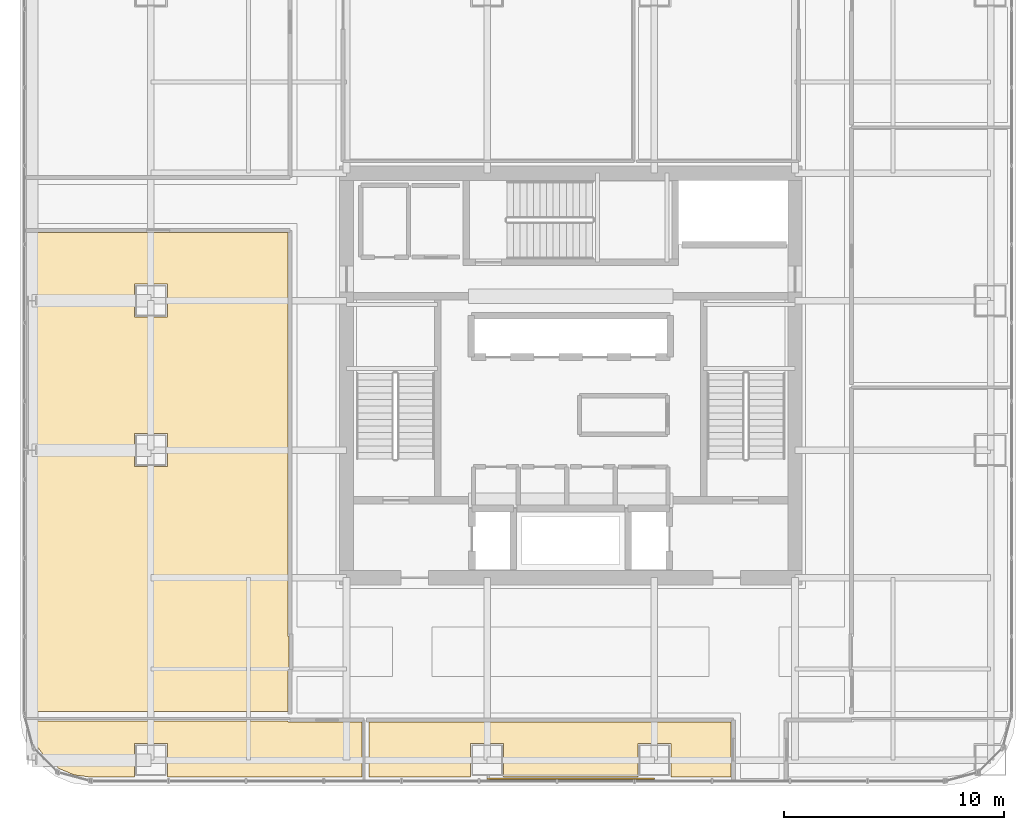
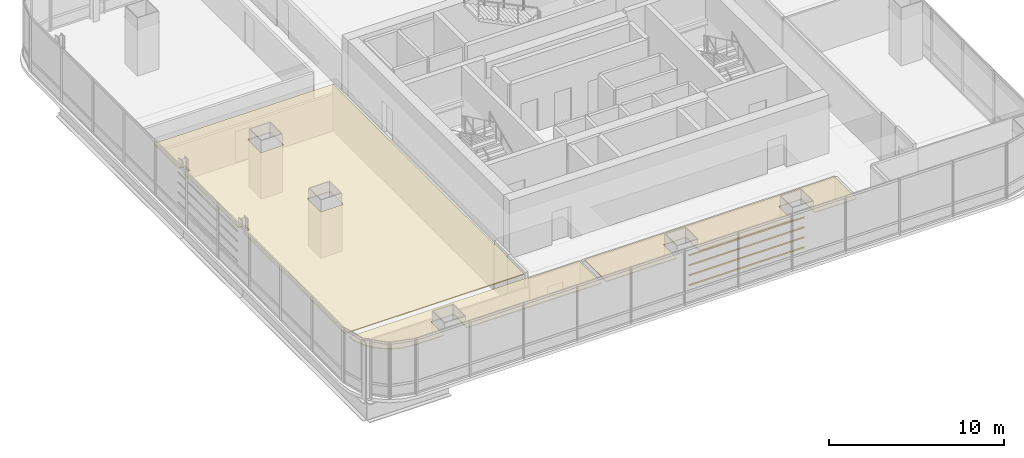
# One storey, part 34 of 38: 4 shading devices, 3 coverings.
"""IFC4 building model written with IfcOpenShell, lengths in metres."""

from ifc_helpers import new_model, si_unit, direction, frame, origin, origin_2d, place, context, subcontext, project, spatial, polyline, hollow_rectangle, outline, extrude, material, layer, layer_set, material_profile, profile_set, type_object, element, save


model = new_model("IFC4")

# Units and contexts
model_context = context("Model", 3, precision=1e-05, world=origin(), true_north=direction((0.0, 1.0)))
body_context = subcontext(model_context, "Body", "Model", "MODEL_VIEW")
ifc_project = project(units=[si_unit("LENGTHUNIT", "METRE"), si_unit("AREAUNIT", "SQUARE_METRE"), si_unit("VOLUMEUNIT", "CUBIC_METRE"), si_unit("PLANEANGLEUNIT", "RADIAN"), si_unit("MASSUNIT", "GRAM", prefix="KILO")], contexts=[model_context])

# Site, building, storey
site_placement = place(None, origin())
site = spatial("IfcSite", under=ifc_project, at=site_placement, CompositionType="ELEMENT")
building_placement = place(site_placement, origin())
building = spatial("IfcBuilding", under=site, at=building_placement, Name="Punatoya Terracotta Tower", CompositionType="ELEMENT")
storey_placement = place(building_placement, frame((0.0, 0.0, 160.050048828125)))
storey = spatial("IfcBuildingStorey", under=building, at=storey_placement, Name="L37", CompositionType="ELEMENT", Elevation=160.050048828125)

# Coverings
ifc_material_1 = material(Name="Acoustic Mineral Fibre Ceiling")
ifc_layer = layer(ifc_material_1, 0.06005859375)
ifc_layer_set = layer_set([ifc_layer], Name="Acoustic Mineral Fibre Ceiling")
covering_type = type_object("IfcCoveringType", Name="COV-CEIL-60", PredefinedType="CEILING", material=ifc_layer_set)
covering_1_placement = place(storey_placement, frame((0.0, 0.0, 3.219970703125)))
element("IfcCovering", 1, at=covering_1_placement, inside=storey, type_object=covering_type, Name="L37 Open-Plan Plenary Seminar Room Acoustic Ceiling", PredefinedType="CEILING", context=body_context, shape_type="SweptSolid", body=[
    extrude(outline(polyline([(-22.5791015625, -18.1708984375), (-21.8251953125, -18.27001953125), (-19.85009765625, -18.27001953125), (-19.85009765625, -16.75), (-18.35009765625, -16.75), (-18.35009765625, -18.27001953125), (-9.5048828125, -18.27001953125), (-9.5048828125, -15.77001953125), (-12.8701171875, -15.77001953125), (-12.8701171875, -15.7099609375), (-24.632568359375, -15.7099609375), (-24.57080078125, -16.178955078125), (-24.289306640625, -16.8583984375), (-23.841796875, -17.441650390625), (-23.25830078125, -17.889404296875), (-22.5791015625, -18.1708984375)])), origin(), (0.0, 0.0, 1.0), 0.06005859375),
])
covering_2_placement = place(storey_placement, frame((0.0, 0.0, 3.219970703125)))
element("IfcCovering", 2, at=covering_2_placement, inside=storey, type_object=covering_type, Name="L37 Open-Plan Client Strategy Boardroom Acoustic Ceiling", PredefinedType="CEILING", context=body_context, shape_type="SweptSolid", body=[
    extrude(outline(polyline([(-4.550048828125, -18.27001953125), (-4.550048828125, -16.75), (-3.050048828125, -16.75), (-3.050048828125, -18.27001953125), (3.050048828125, -18.27001953125), (3.050048828125, -16.75), (4.550048828125, -16.75), (4.550048828125, -18.27001953125), (7.300048828125, -18.27001953125), (7.300048828125, -15.77001953125), (-9.18505859375, -15.77001953125), (-9.18505859375, -18.27001953125), (-4.550048828125, -18.27001953125)])), origin(), (0.0, 0.0, 1.0), 0.06005859375),
])
covering_3_placement = place(storey_placement, frame((0.0, 0.0, 3.219970703125)))
element("IfcCovering", 3, at=covering_3_placement, inside=storey, type_object=covering_type, Name="L37 Breakout Tea Pantry Acoustic Ceiling", PredefinedType="CEILING", context=body_context, shape_type="SweptSolid", body=[
    extrude(outline(polyline([(-12.8701171875, -13.280029296875), (-12.81005859375, -13.280029296875), (-12.81005859375, -11.8701171875), (-12.8701171875, -11.8701171875), (-12.8701171875, 6.5), (-24.669921875, 6.5), (-24.669921875, 3.66259765625), (-24.24560546875, 3.66259765625), (-24.24560546875, 3.137451171875), (-24.669921875, 3.137451171875), (-24.669921875, -3.137451171875), (-24.24560546875, -3.137451171875), (-24.24560546875, -3.66259765625), (-24.669921875, -3.66259765625), (-24.669921875, -15.2900390625), (-12.8701171875, -15.2900390625), (-12.8701171875, -13.280029296875)]), holes=[polyline([(-18.35009765625, -4.14990234375), (-19.85009765625, -4.14990234375), (-19.85009765625, -2.64990234375), (-18.35009765625, -2.64990234375), (-18.35009765625, -4.14990234375)]), polyline([(-18.35009765625, 4.14990234375), (-18.35009765625, 2.64990234375), (-19.85009765625, 2.64990234375), (-19.85009765625, 4.14990234375), (-18.35009765625, 4.14990234375)])]), origin(), (0.0, 0.0, 1.0), 0.06005859375),
])

# Shading devices
ifc_material_2 = material(Name="Architectural Fired Terracotta", Category="masonry")
ifc_material_profile = material_profile(ifc_material_2, hollow_rectangle(XDim=0.06005859375, YDim=0.090087890625, WallThickness=0.013916015625, at=origin_2d()))
ifc_profile_set = profile_set([ifc_material_profile], Name="Architectural Fired Terracotta")
shading_device_type = type_object("IfcShadingDeviceType", Name="SHD-JALI-90", PredefinedType="JALOUSIE", material=ifc_profile_set)
for number, where, z_axis, x_axis, name in (
    (4, (-3.800048828125, -18.340087890625, 1.14990234375), (1.0, 0.0, 0.0), (0.0, 1.0, 0.0), "L37 Fired Terracotta Baguette Louvre BAG-L37-S-01"),
    (5, (-3.800048828125, -18.340087890625, 1.84326171875), (1.0, 0.0, 0.0), (0.0, 1.0, 0.0), "L37 Fired Terracotta Baguette Louvre BAG-L37-S-02"),
    (6, (-3.800048828125, -18.340087890625, 2.53662109375), (1.0, 0.0, 0.0), (0.0, 1.0, 0.0), "L37 Fired Terracotta Baguette Louvre BAG-L37-S-03"),
    (7, (-3.800048828125, -18.340087890625, 3.22998046875), (1.0, 0.0, 0.0), (0.0, 1.0, 0.0), "L37 Fired Terracotta Baguette Louvre BAG-L37-S-04"),
):
    element("IfcShadingDevice", number, at=place(storey_placement, frame(where, z_axis=z_axis, x_axis=x_axis)), inside=storey, type_object=shading_device_type, Name=name, PredefinedType="JALOUSIE", context=body_context, shape_type="SweptSolid", body=[
        extrude(hollow_rectangle(XDim=0.06005859375, YDim=0.090087890625, WallThickness=0.013916015625, at=origin_2d()), origin(), (0.0, 0.0, 1.0), 7.60009765625),
    ])

save(model, "model.ifc")
